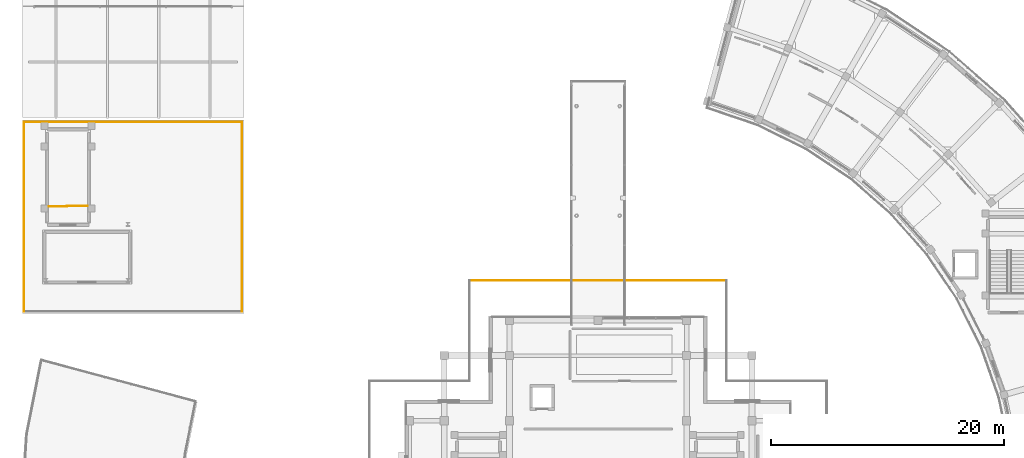
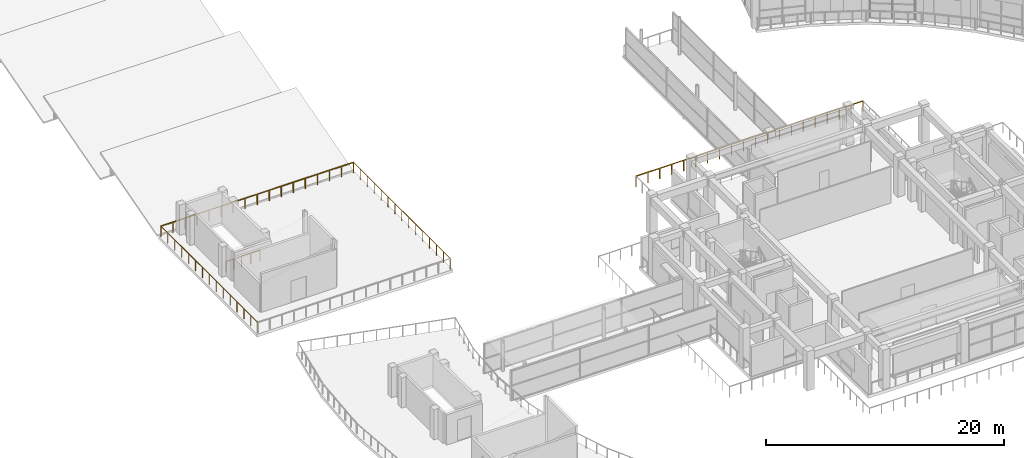
# One storey, part 50 of 53: 6 railings.
"""IFC4 building model written with IfcOpenShell, lengths in metres."""

from ifc_helpers import new_model, si_unit, direction, frame, origin, origin_2d, place, context, subcontext, project, spatial, rectangle, extrude, material, layer, layer_set, type_object, element, save


model = new_model("IFC4")

# Units and contexts
model_context = context("Model", 3, precision=1e-05, world=origin(), true_north=direction((0.0, 1.0)))
body_context = subcontext(model_context, "Body", "Model", "MODEL_VIEW")
ifc_project = project(units=[si_unit("LENGTHUNIT", "METRE"), si_unit("AREAUNIT", "SQUARE_METRE"), si_unit("VOLUMEUNIT", "CUBIC_METRE"), si_unit("PLANEANGLEUNIT", "RADIAN"), si_unit("MASSUNIT", "GRAM", prefix="KILO")], contexts=[model_context])

# Site, building, storey
site_placement = place(None, origin())
site = spatial("IfcSite", under=ifc_project, at=site_placement, CompositionType="ELEMENT")
building_placement = place(site_placement, origin())
building = spatial("IfcBuilding", under=site, at=building_placement, Name="Saryqyr Civic Hall", CompositionType="ELEMENT")
storey_placement = place(building_placement, frame((0.0, 0.0, 21.300048828125)))
storey = spatial("IfcBuildingStorey", under=building, at=storey_placement, Name="L05", CompositionType="ELEMENT", Elevation=21.300048828125)

# Railings
ifc_material_1 = material(Name="Stainless steel and laminated glass", Category="steel")
ifc_layer_1 = layer(ifc_material_1, 0.06005859375, Name="Stainless steel and laminated glass")
ifc_layer_set_1 = layer_set([ifc_layer_1], Name="Stainless steel and laminated glass")
railing_type_1 = type_object("IfcRailingType", Name="ENV-RLG-BAL-1100", PredefinedType="BALUSTRADE", material=ifc_layer_set_1)
railing_1_placement = place(storey_placement, frame((68.02001953125, 103.6201171875, 0.0)))
element("IfcRailing", 1, at=railing_1_placement, inside=storey, type_object=railing_type_1, Name="Perimeter safety balustrade V1-STEPG-L05-G07", PredefinedType="BALUSTRADE", context=body_context, shape_type="SweptSolid", body=[
    extrude(rectangle(XDim=0.048095703125, YDim=0.048095703125, at=origin_2d()), frame((0.0, 0.0, 1.076171875), z_axis=(-1.0, 0.0, 0.0), x_axis=(0.0, -1.0, 0.0)), (0.0, 0.0, 1.0), 22.0400390625),
    extrude(rectangle(XDim=0.0419921875, YDim=0.0419921875, at=origin_2d()), origin(), (0.0, 0.0, 1.0), 1.052001953125),
    extrude(rectangle(XDim=0.0419921875, YDim=0.0419921875, at=origin_2d()), frame((-1.159912109375, 0.0, 0.0)), (0.0, 0.0, 1.0), 1.052001953125),
    extrude(rectangle(XDim=0.0419921875, YDim=0.0419921875, at=origin_2d()), frame((-2.320068359375, 0.0, 0.0)), (0.0, 0.0, 1.0), 1.052001953125),
    extrude(rectangle(XDim=0.0419921875, YDim=0.0419921875, at=origin_2d()), frame((-3.47998046875, 0.0, 0.0)), (0.0, 0.0, 1.0), 1.052001953125),
    extrude(rectangle(XDim=0.0419921875, YDim=0.0419921875, at=origin_2d()), frame((-4.639892578125, 0.0, 0.0)), (0.0, 0.0, 1.0), 1.052001953125),
    extrude(rectangle(XDim=0.0419921875, YDim=0.0419921875, at=origin_2d()), frame((-5.800048828125, 0.0, 0.0)), (0.0, 0.0, 1.0), 1.052001953125),
    extrude(rectangle(XDim=0.0419921875, YDim=0.0419921875, at=origin_2d()), frame((-6.9599609375, 0.0, 0.0)), (0.0, 0.0, 1.0), 1.052001953125),
    extrude(rectangle(XDim=0.0419921875, YDim=0.0419921875, at=origin_2d()), frame((-8.1201171875, 0.0, 0.0)), (0.0, 0.0, 1.0), 1.052001953125),
    extrude(rectangle(XDim=0.0419921875, YDim=0.0419921875, at=origin_2d()), frame((-9.280029296875, 0.0, 0.0)), (0.0, 0.0, 1.0), 1.052001953125),
    extrude(rectangle(XDim=0.0419921875, YDim=0.0419921875, at=origin_2d()), frame((-10.43994140625, 0.0, 0.0)), (0.0, 0.0, 1.0), 1.052001953125),
    extrude(rectangle(XDim=0.0419921875, YDim=0.0419921875, at=origin_2d()), frame((-11.60009765625, 0.0, 0.0)), (0.0, 0.0, 1.0), 1.052001953125),
    extrude(rectangle(XDim=0.0419921875, YDim=0.0419921875, at=origin_2d()), frame((-12.760009765625, 0.0, 0.0)), (0.0, 0.0, 1.0), 1.052001953125),
    extrude(rectangle(XDim=0.0419921875, YDim=0.0419921875, at=origin_2d()), frame((-13.919921875, 0.0, 0.0)), (0.0, 0.0, 1.0), 1.052001953125),
    extrude(rectangle(XDim=0.0419921875, YDim=0.0419921875, at=origin_2d()), frame((-15.080078125, 0.0, 0.0)), (0.0, 0.0, 1.0), 1.052001953125),
    extrude(rectangle(XDim=0.0419921875, YDim=0.0419921875, at=origin_2d()), frame((-16.239990234375, 0.0, 0.0)), (0.0, 0.0, 1.0), 1.052001953125),
    extrude(rectangle(XDim=0.0419921875, YDim=0.0419921875, at=origin_2d()), frame((-17.400146484375, 0.0, 0.0)), (0.0, 0.0, 1.0), 1.052001953125),
    extrude(rectangle(XDim=0.0419921875, YDim=0.0419921875, at=origin_2d()), frame((-18.56005859375, 0.0, 0.0)), (0.0, 0.0, 1.0), 1.052001953125),
    extrude(rectangle(XDim=0.0419921875, YDim=0.0419921875, at=origin_2d()), frame((-19.719970703125, 0.0, 0.0)), (0.0, 0.0, 1.0), 1.052001953125),
    extrude(rectangle(XDim=0.0419921875, YDim=0.0419921875, at=origin_2d()), frame((-20.880126953125, 0.0, 0.0)), (0.0, 0.0, 1.0), 1.052001953125),
    extrude(rectangle(XDim=0.0419921875, YDim=0.0419921875, at=origin_2d()), frame((-22.0400390625, 0.0, 0.0)), (0.0, 0.0, 1.0), 1.052001953125),
])
railing_2_placement = place(storey_placement, frame((26.43994140625, 100.9599609375, 0.0)))
element("IfcRailing", 2, at=railing_2_placement, inside=storey, type_object=railing_type_1, Name="Perimeter safety balustrade V3-RG-L05-G02", PredefinedType="BALUSTRADE", context=body_context, shape_type="SweptSolid", body=[
    extrude(rectangle(XDim=0.048095703125, YDim=0.048095703125, at=origin_2d()), frame((0.0, 0.0, 1.076171875), z_axis=(0.0, 1.0, 0.0), x_axis=(-1.0, 0.0, 0.0)), (0.0, 0.0, 1.0), 16.280029296875),
    extrude(rectangle(XDim=0.0419921875, YDim=0.0419921875, at=origin_2d()), origin(), (0.0, 0.0, 1.0), 1.052001953125),
    extrude(rectangle(XDim=0.0419921875, YDim=0.0419921875, at=origin_2d()), frame((0.0, 1.162841796875, 0.0)), (0.0, 0.0, 1.0), 1.052001953125),
    extrude(rectangle(XDim=0.0419921875, YDim=0.0419921875, at=origin_2d()), frame((0.0, 2.32568359375, 0.0)), (0.0, 0.0, 1.0), 1.052001953125),
    extrude(rectangle(XDim=0.0419921875, YDim=0.0419921875, at=origin_2d()), frame((0.0, 3.488525390625, 0.0)), (0.0, 0.0, 1.0), 1.052001953125),
    extrude(rectangle(XDim=0.0419921875, YDim=0.0419921875, at=origin_2d()), frame((0.0, 4.6513671875, 0.0)), (0.0, 0.0, 1.0), 1.052001953125),
    extrude(rectangle(XDim=0.0419921875, YDim=0.0419921875, at=origin_2d()), frame((0.0, 5.814208984375, 0.0)), (0.0, 0.0, 1.0), 1.052001953125),
    extrude(rectangle(XDim=0.0419921875, YDim=0.0419921875, at=origin_2d()), frame((0.0, 6.97705078125, 0.0)), (0.0, 0.0, 1.0), 1.052001953125),
    extrude(rectangle(XDim=0.0419921875, YDim=0.0419921875, at=origin_2d()), frame((0.0, 8.14013671875, 0.0)), (0.0, 0.0, 1.0), 1.052001953125),
    extrude(rectangle(XDim=0.0419921875, YDim=0.0419921875, at=origin_2d()), frame((0.0, 9.302978515625, 0.0)), (0.0, 0.0, 1.0), 1.052001953125),
    extrude(rectangle(XDim=0.0419921875, YDim=0.0419921875, at=origin_2d()), frame((0.0, 10.4658203125, 0.0)), (0.0, 0.0, 1.0), 1.052001953125),
    extrude(rectangle(XDim=0.0419921875, YDim=0.0419921875, at=origin_2d()), frame((0.0, 11.628662109375, 0.0)), (0.0, 0.0, 1.0), 1.052001953125),
    extrude(rectangle(XDim=0.0419921875, YDim=0.0419921875, at=origin_2d()), frame((0.0, 12.79150390625, 0.0)), (0.0, 0.0, 1.0), 1.052001953125),
    extrude(rectangle(XDim=0.0419921875, YDim=0.0419921875, at=origin_2d()), frame((0.0, 13.954345703125, 0.0)), (0.0, 0.0, 1.0), 1.052001953125),
    extrude(rectangle(XDim=0.0419921875, YDim=0.0419921875, at=origin_2d()), frame((0.0, 15.1171875, 0.0)), (0.0, 0.0, 1.0), 1.052001953125),
    extrude(rectangle(XDim=0.0419921875, YDim=0.0419921875, at=origin_2d()), frame((0.0, 16.280029296875, 0.0)), (0.0, 0.0, 1.0), 1.052001953125),
])
railing_3_placement = place(storey_placement, frame((26.43994140625, 117.239990234375, 0.0)))
element("IfcRailing", 3, at=railing_3_placement, inside=storey, type_object=railing_type_1, Name="Perimeter safety balustrade V3-RG-L05-G03", PredefinedType="BALUSTRADE", context=body_context, shape_type="SweptSolid", body=[
    extrude(rectangle(XDim=0.048095703125, YDim=0.048095703125, at=origin_2d()), frame((0.0, 0.0, 1.076171875), z_axis=(-1.0, 0.0, 0.0), x_axis=(0.0, -1.0, 0.0)), (0.0, 0.0, 1.0), 18.679931640625),
    extrude(rectangle(XDim=0.0419921875, YDim=0.0419921875, at=origin_2d()), origin(), (0.0, 0.0, 1.0), 1.052001953125),
    extrude(rectangle(XDim=0.0419921875, YDim=0.0419921875, at=origin_2d()), frame((-1.16748046875, 0.0, 0.0)), (0.0, 0.0, 1.0), 1.052001953125),
    extrude(rectangle(XDim=0.0419921875, YDim=0.0419921875, at=origin_2d()), frame((-2.3349609375, 0.0, 0.0)), (0.0, 0.0, 1.0), 1.052001953125),
    extrude(rectangle(XDim=0.0419921875, YDim=0.0419921875, at=origin_2d()), frame((-3.50244140625, 0.0, 0.0)), (0.0, 0.0, 1.0), 1.052001953125),
    extrude(rectangle(XDim=0.0419921875, YDim=0.0419921875, at=origin_2d()), frame((-4.669921875, 0.0, 0.0)), (0.0, 0.0, 1.0), 1.052001953125),
    extrude(rectangle(XDim=0.0419921875, YDim=0.0419921875, at=origin_2d()), frame((-5.83740234375, 0.0, 0.0)), (0.0, 0.0, 1.0), 1.052001953125),
    extrude(rectangle(XDim=0.0419921875, YDim=0.0419921875, at=origin_2d()), frame((-7.0048828125, 0.0, 0.0)), (0.0, 0.0, 1.0), 1.052001953125),
    extrude(rectangle(XDim=0.0419921875, YDim=0.0419921875, at=origin_2d()), frame((-8.17236328125, 0.0, 0.0)), (0.0, 0.0, 1.0), 1.052001953125),
    extrude(rectangle(XDim=0.0419921875, YDim=0.0419921875, at=origin_2d()), frame((-9.33984375, 0.0, 0.0)), (0.0, 0.0, 1.0), 1.052001953125),
    extrude(rectangle(XDim=0.0419921875, YDim=0.0419921875, at=origin_2d()), frame((-10.507568359375, 0.0, 0.0)), (0.0, 0.0, 1.0), 1.052001953125),
    extrude(rectangle(XDim=0.0419921875, YDim=0.0419921875, at=origin_2d()), frame((-11.675048828125, 0.0, 0.0)), (0.0, 0.0, 1.0), 1.052001953125),
    extrude(rectangle(XDim=0.0419921875, YDim=0.0419921875, at=origin_2d()), frame((-12.842529296875, 0.0, 0.0)), (0.0, 0.0, 1.0), 1.052001953125),
    extrude(rectangle(XDim=0.0419921875, YDim=0.0419921875, at=origin_2d()), frame((-14.010009765625, 0.0, 0.0)), (0.0, 0.0, 1.0), 1.052001953125),
    extrude(rectangle(XDim=0.0419921875, YDim=0.0419921875, at=origin_2d()), frame((-15.177490234375, 0.0, 0.0)), (0.0, 0.0, 1.0), 1.052001953125),
    extrude(rectangle(XDim=0.0419921875, YDim=0.0419921875, at=origin_2d()), frame((-16.344970703125, 0.0, 0.0)), (0.0, 0.0, 1.0), 1.052001953125),
    extrude(rectangle(XDim=0.0419921875, YDim=0.0419921875, at=origin_2d()), frame((-17.512451171875, 0.0, 0.0)), (0.0, 0.0, 1.0), 1.052001953125),
    extrude(rectangle(XDim=0.0419921875, YDim=0.0419921875, at=origin_2d()), frame((-18.679931640625, 0.0, 0.0)), (0.0, 0.0, 1.0), 1.052001953125),
])
railing_4_placement = place(storey_placement, frame((7.760009765625, 117.239990234375, 0.0)))
element("IfcRailing", 4, at=railing_4_placement, inside=storey, type_object=railing_type_1, Name="Perimeter safety balustrade V3-RG-L05-G04", PredefinedType="BALUSTRADE", context=body_context, shape_type="SweptSolid", body=[
    extrude(rectangle(XDim=0.048095703125, YDim=0.048095703125, at=origin_2d()), frame((0.0, 0.0, 1.076171875), z_axis=(0.0, -1.0, 0.0), x_axis=(1.0, 0.0, 0.0)), (0.0, 0.0, 1.0), 16.280029296875),
    extrude(rectangle(XDim=0.0419921875, YDim=0.0419921875, at=origin_2d()), origin(), (0.0, 0.0, 1.0), 1.052001953125),
    extrude(rectangle(XDim=0.0419921875, YDim=0.0419921875, at=origin_2d()), frame((0.0, -1.162841796875, 0.0)), (0.0, 0.0, 1.0), 1.052001953125),
    extrude(rectangle(XDim=0.0419921875, YDim=0.0419921875, at=origin_2d()), frame((0.0, -2.32568359375, 0.0)), (0.0, 0.0, 1.0), 1.052001953125),
    extrude(rectangle(XDim=0.0419921875, YDim=0.0419921875, at=origin_2d()), frame((0.0, -3.488525390625, 0.0)), (0.0, 0.0, 1.0), 1.052001953125),
    extrude(rectangle(XDim=0.0419921875, YDim=0.0419921875, at=origin_2d()), frame((0.0, -4.6513671875, 0.0)), (0.0, 0.0, 1.0), 1.052001953125),
    extrude(rectangle(XDim=0.0419921875, YDim=0.0419921875, at=origin_2d()), frame((0.0, -5.814208984375, 0.0)), (0.0, 0.0, 1.0), 1.052001953125),
    extrude(rectangle(XDim=0.0419921875, YDim=0.0419921875, at=origin_2d()), frame((0.0, -6.97705078125, 0.0)), (0.0, 0.0, 1.0), 1.052001953125),
    extrude(rectangle(XDim=0.0419921875, YDim=0.0419921875, at=origin_2d()), frame((0.0, -8.14013671875, 0.0)), (0.0, 0.0, 1.0), 1.052001953125),
    extrude(rectangle(XDim=0.0419921875, YDim=0.0419921875, at=origin_2d()), frame((0.0, -9.302978515625, 0.0)), (0.0, 0.0, 1.0), 1.052001953125),
    extrude(rectangle(XDim=0.0419921875, YDim=0.0419921875, at=origin_2d()), frame((0.0, -10.4658203125, 0.0)), (0.0, 0.0, 1.0), 1.052001953125),
    extrude(rectangle(XDim=0.0419921875, YDim=0.0419921875, at=origin_2d()), frame((0.0, -11.628662109375, 0.0)), (0.0, 0.0, 1.0), 1.052001953125),
    extrude(rectangle(XDim=0.0419921875, YDim=0.0419921875, at=origin_2d()), frame((0.0, -12.79150390625, 0.0)), (0.0, 0.0, 1.0), 1.052001953125),
    extrude(rectangle(XDim=0.0419921875, YDim=0.0419921875, at=origin_2d()), frame((0.0, -13.954345703125, 0.0)), (0.0, 0.0, 1.0), 1.052001953125),
    extrude(rectangle(XDim=0.0419921875, YDim=0.0419921875, at=origin_2d()), frame((0.0, -15.1171875, 0.0)), (0.0, 0.0, 1.0), 1.052001953125),
    extrude(rectangle(XDim=0.0419921875, YDim=0.0419921875, at=origin_2d()), frame((0.0, -16.280029296875, 0.0)), (0.0, 0.0, 1.0), 1.052001953125),
])
ifc_material_2 = material(Name="Warm brushed brass and laminated glass", Category="glass")
ifc_layer_2 = layer(ifc_material_2, 0.06005859375, Name="Warm brushed brass and laminated glass")
ifc_layer_set_2 = layer_set([ifc_layer_2], Name="Warm brushed brass and laminated glass")
railing_type_2 = type_object("IfcRailingType", Name="INT-RLG-BAL-1100", PredefinedType="BALUSTRADE", material=ifc_layer_set_2)
railing_5_placement = place(storey_placement, frame((13.199951171875, 110.030029296875, 0.0)))
element("IfcRailing", 5, at=railing_5_placement, inside=storey, type_object=railing_type_2, Name="L05 ST-3 top well guard 1", PredefinedType="BALUSTRADE", context=body_context, shape_type="SweptSolid", body=[
    extrude(rectangle(XDim=0.048095703125, YDim=0.048095703125, at=origin_2d()), frame((0.0, 0.0, 1.076171875), z_axis=(-1.0, 0.0, 0.0), x_axis=(0.0, -1.0, 0.0)), (0.0, 0.0, 1.0), 1.780029296875),
    extrude(rectangle(XDim=0.0419921875, YDim=0.0419921875, at=origin_2d()), origin(), (0.0, 0.0, 1.0), 1.052001953125),
    extrude(rectangle(XDim=0.0419921875, YDim=0.0419921875, at=origin_2d()), frame((-0.89013671875, 0.0, 0.0)), (0.0, 0.0, 1.0), 1.052001953125),
    extrude(rectangle(XDim=0.0419921875, YDim=0.0419921875, at=origin_2d()), frame((-1.780029296875, 0.0, 0.0)), (0.0, 0.0, 1.0), 1.052001953125),
])
railing_6_placement = place(storey_placement, frame((9.885009765625, 109.97998046875, 0.0)))
element("IfcRailing", 6, at=railing_6_placement, inside=storey, type_object=railing_type_2, Name="Interior deck safety balustrade L05-070", PredefinedType="BALUSTRADE", context=body_context, shape_type="SweptSolid", body=[
    extrude(rectangle(XDim=0.048095703125, YDim=0.048095703125, at=origin_2d()), frame((0.0, 0.0, 1.09619140625), z_axis=(1.0, 0.0, 0.0), x_axis=(0.0, 1.0, 0.0)), (0.0, 0.0, 1.0), 1.534912109375),
    extrude(rectangle(XDim=0.0419921875, YDim=0.0419921875, at=origin_2d()), origin(), (0.0, 0.0, 1.0), 1.072021484375),
    extrude(rectangle(XDim=0.0419921875, YDim=0.0419921875, at=origin_2d()), frame((0.767578125, 0.0, 0.0)), (0.0, 0.0, 1.0), 1.072021484375),
    extrude(rectangle(XDim=0.0419921875, YDim=0.0419921875, at=origin_2d()), frame((1.534912109375, 0.0, 0.0)), (0.0, 0.0, 1.0), 1.072021484375),
])

save(model, "model.ifc")
